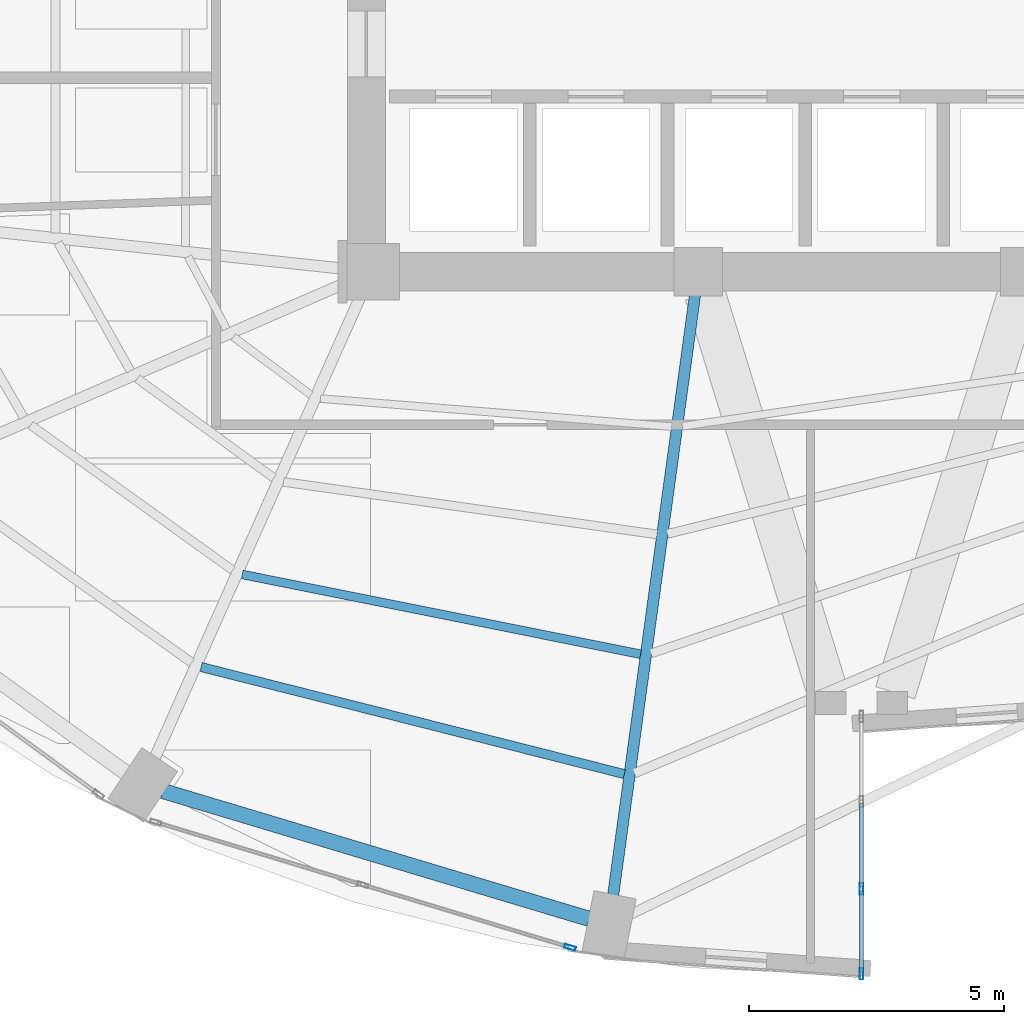
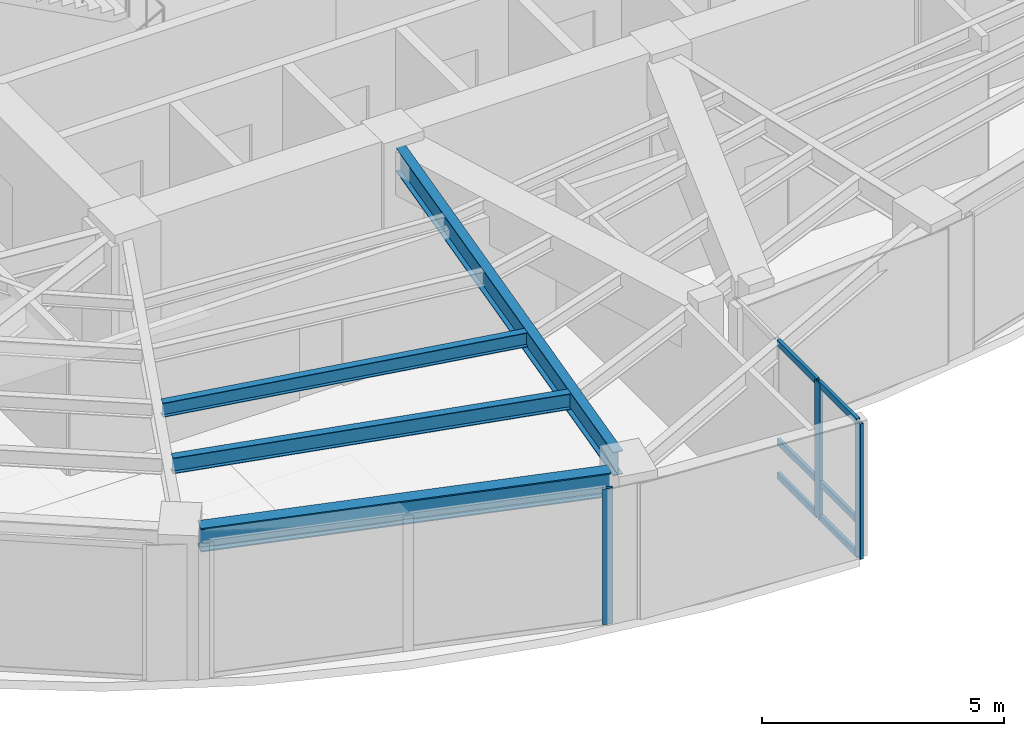
# One storey, part 5 of 24: 9 members, 4 beams, 2 elements without a shape of their own.
"""IFC4 building model written with IfcOpenShell, lengths in metres."""

from ifc_helpers import new_model, si_unit, direction, frame, origin, origin_2d, place, context, subcontext, project, spatial, hollow_rectangle, i_section, extrude, material, layer, layer_set, material_profile, profile_set, type_object, element, aggregate, save


model = new_model("IFC4")

# Units and contexts
model_context = context("Model", 3, precision=1e-05, world=origin(), true_north=direction((0.0, 1.0)))
body_context = subcontext(model_context, "Body", "Model", "MODEL_VIEW")
ifc_project = project(units=[si_unit("LENGTHUNIT", "METRE"), si_unit("AREAUNIT", "SQUARE_METRE"), si_unit("VOLUMEUNIT", "CUBIC_METRE"), si_unit("PLANEANGLEUNIT", "RADIAN"), si_unit("MASSUNIT", "GRAM", prefix="KILO")], contexts=[model_context])

# Site, building, storey
site_placement = place(None, origin())
site = spatial("IfcSite", under=ifc_project, at=site_placement, CompositionType="ELEMENT")
building_placement = place(site_placement, origin())
building = spatial("IfcBuilding", under=site, at=building_placement, Name="Lazwardi Medical Tower", CompositionType="ELEMENT")
storey_placement = place(building_placement, frame((0.0, 0.0, 96.3359375)))
storey = spatial("IfcBuildingStorey", under=building, at=storey_placement, Name="L24", CompositionType="ELEMENT", Elevation=96.3359375)

# Beams
ifc_material_1 = material(Name="Steel S355", Category="steel")
ifc_material_profile_1 = material_profile(ifc_material_1, i_section(OverallWidth=0.300048828125, OverallDepth=0.60009765625, WebThickness=0.015380859375, FlangeThickness=0.030029296875, at=origin_2d()), Name="HEB 600")
ifc_profile_set_1 = profile_set([ifc_material_profile_1], Name="Steel S355")
beam_type_1 = type_object("IfcBeamType", Name="BM-RB-Z2", PredefinedType="BEAM", material=ifc_profile_set_1)
beam_1_placement = place(storey_placement, frame((22.30908203125, 10.224609375, 3.128173828125), z_axis=(0.957879438442, -0.287170648587, 0.0), x_axis=(0.287170648587, 0.957879438442, 0.0)))
element("IfcBeam", 1, at=beam_1_placement, inside=storey, type_object=beam_type_1, Name="Ring beam RB-03 B15 L24", PredefinedType="BEAM", context=body_context, shape_type="SweptSolid", body=[
    extrude(i_section(OverallWidth=0.300048828125, OverallDepth=0.60009765625, WebThickness=0.015380859375, FlangeThickness=0.030029296875, at=origin_2d()), origin(), (0.0, 0.0, 1.0), 8.719970703125),
])
ifc_material_profile_2 = material_profile(ifc_material_1, i_section(OverallWidth=0.219970703125, OverallDepth=0.60009765625, WebThickness=0.011962890625, FlangeThickness=0.01904296875, at=origin_2d()), Name="IPE 600")
ifc_profile_set_2 = profile_set([ifc_material_profile_2], Name="Steel S355")
beam_type_2 = type_object("IfcBeamType", Name="BM-RG-W1", PredefinedType="BEAM", material=ifc_profile_set_2)
beam_2_placement = place(storey_placement, frame((31.1328125, 8.17724609375, 3.128173828125), z_axis=(0.135147148002, 0.990825538825, 0.0), x_axis=(-0.990825538825, 0.135147148002, 0.0)))
element("IfcBeam", 2, at=beam_2_placement, inside=storey, type_object=beam_type_2, Name="Radial girder RG-02 R16 L24", PredefinedType="BEAM", context=body_context, shape_type="SweptSolid", body=[
    extrude(i_section(OverallWidth=0.219970703125, OverallDepth=0.60009765625, WebThickness=0.011962890625, FlangeThickness=0.01904296875, at=origin_2d()), origin(), (0.0, 0.0, 1.0), 11.875732421875),
])
ifc_material_profile_3 = material_profile(ifc_material_1, i_section(OverallWidth=0.179931640625, OverallDepth=0.39990234375, WebThickness=0.008544921875, FlangeThickness=0.013427734375, at=origin_2d()), Name="IPE 400")
ifc_profile_set_3 = profile_set([ifc_material_profile_3], Name="Steel S355")
beam_type_3 = type_object("IfcBeamType", Name="BM-SJ-01", PredefinedType="JOIST", material=ifc_profile_set_3)
beam_3_placement = place(storey_placement, frame((23.060302734375, 12.654296875, 3.22802734375), z_axis=(0.96945186753, -0.245281626997, 0.0), x_axis=(0.245281626997, 0.96945186753, 0.0)))
element("IfcBeam", 3, at=beam_3_placement, inside=storey, type_object=beam_type_3, Name="Secondary joist SJ-01 R1 B15 L24", PredefinedType="JOIST", context=body_context, shape_type="SweptSolid", body=[
    extrude(i_section(OverallWidth=0.179931640625, OverallDepth=0.39990234375, WebThickness=0.008544921875, FlangeThickness=0.013427734375, at=origin_2d()), origin(), (0.0, 0.0, 1.0), 8.552978515625),
])
ifc_material_profile_4 = material_profile(ifc_material_1, i_section(OverallWidth=0.169921875, OverallDepth=0.360107421875, WebThickness=0.008056640625, FlangeThickness=0.0126953125, at=origin_2d()), Name="IPE 360")
ifc_profile_set_4 = profile_set([ifc_material_profile_4], Name="Steel S355")
beam_type_4 = type_object("IfcBeamType", Name="BM-SJ-02", PredefinedType="JOIST", material=ifc_profile_set_4)
beam_4_placement = place(storey_placement, frame((23.8671875, 14.46728515625, 3.248046875), z_axis=(0.980542906584, -0.196304886203, 0.0), x_axis=(0.196304886203, 0.980542906584, 0.0)))
element("IfcBeam", 4, at=beam_4_placement, inside=storey, type_object=beam_type_4, Name="Secondary joist SJ-02 R2 B15 L24", PredefinedType="JOIST", context=body_context, shape_type="SweptSolid", body=[
    extrude(i_section(OverallWidth=0.169921875, OverallDepth=0.360107421875, WebThickness=0.008056640625, FlangeThickness=0.0126953125, at=origin_2d()), origin(), (0.0, 0.0, 1.0), 7.95947265625),
])

# Curtain wall, member
ifc_material_2 = material(Name="Anodised bronze aluminium and solar control glazing", Category="aluminium")
ifc_layer_1 = layer(ifc_material_2, 0.195068359375)
ifc_layer_set_1 = layer_set([ifc_layer_1], Name="Anodised bronze aluminium and solar control glazing")
curtain_wall_type_1 = type_object("IfcCurtainWallType", Name="CW-SYS-03", PredefinedType="NOTDEFINED", material=ifc_layer_set_1)
curtain_wall_1_placement = place(storey_placement, origin())
curtain_wall_1 = element("IfcCurtainWall", 5, at=curtain_wall_1_placement, inside=storey, type_object=curtain_wall_type_1, Name="L24 Unitised bronze curtain wall CW-03", PredefinedType="NOTDEFINED")
ifc_material_3 = material(Name="Anodised bronze aluminium", Category="aluminium")
ifc_material_profile_5 = material_profile(ifc_material_3, hollow_rectangle(XDim=0.074951171875, YDim=0.219970703125, WallThickness=0.00390625, at=origin_2d()), Name="ALU-MULLION 220x75x4")
ifc_profile_set_5 = profile_set([ifc_material_profile_5], Name="Anodised bronze aluminium")
member_type_1 = type_object("IfcMemberType", Name="CW-MUL-01", PredefinedType="MULLION", material=ifc_profile_set_5)
member_1_placement = place(storey_placement, frame((30.289794921875, 7.159912109375, 0.0), z_axis=(0.0, 0.0, 1.0), x_axis=(0.28937381157, 0.957216170558, 0.0)))
member_1 = element("IfcMember", 6, at=member_1_placement, type_object=member_type_1, Name="CW-03 mullion 3", PredefinedType="MULLION", context=body_context, shape_type="SweptSolid", body=[
    extrude(hollow_rectangle(XDim=0.074951171875, YDim=0.219970703125, WallThickness=0.00390625, at=origin_2d()), origin(), (0.0, 0.0, 1.0), 3.427978515625),
])
aggregate(curtain_wall_1, [member_1])

# Curtain wall, members
ifc_layer_2 = layer(ifc_material_2, 0.2099609375)
ifc_layer_set_2 = layer_set([ifc_layer_2], Name="Anodised bronze aluminium and solar control glazing")
curtain_wall_type_2 = type_object("IfcCurtainWallType", Name="CW-SYS-06", PredefinedType="NOTDEFINED", material=ifc_layer_set_2)
curtain_wall_2_placement = place(storey_placement, origin())
curtain_wall_2 = element("IfcCurtainWall", 7, at=curtain_wall_2_placement, inside=storey, type_object=curtain_wall_type_2, Name="L24 Unitised bronze curtain wall CW-06", PredefinedType="NOTDEFINED")
member_2_placement = place(storey_placement, frame((36.0, 6.637451171875, 0.0), z_axis=(0.0, 0.0, 1.0), x_axis=(-1.0, 0.0, 0.0)))
member_2 = element("IfcMember", 8, at=member_2_placement, type_object=member_type_1, Name="CW-06 mullion 1", PredefinedType="MULLION", context=body_context, shape_type="SweptSolid", body=[
    extrude(hollow_rectangle(XDim=0.074951171875, YDim=0.219970703125, WallThickness=0.00390625, at=origin_2d()), origin(), (0.0, 0.0, 1.0), 3.427978515625),
])
member_3_placement = place(storey_placement, frame((36.0, 8.306640625, 0.0), z_axis=(0.0, 0.0, 1.0), x_axis=(-1.0, 0.0, 0.0)))
member_3 = element("IfcMember", 9, at=member_3_placement, type_object=member_type_1, Name="CW-06 mullion 2", PredefinedType="MULLION", context=body_context, shape_type="SweptSolid", body=[
    extrude(hollow_rectangle(XDim=0.074951171875, YDim=0.219970703125, WallThickness=0.00390625, at=origin_2d()), origin(), (0.0, 0.0, 1.0), 3.427978515625),
])
ifc_material_profile_6 = material_profile(ifc_material_3, hollow_rectangle(XDim=0.074951171875, YDim=0.159912109375, WallThickness=0.00390625, at=origin_2d()), Name="ALU-TRANSOM 160x75x4")
ifc_profile_set_6 = profile_set([ifc_material_profile_6], Name="Anodised bronze aluminium")
member_type_2 = type_object("IfcMemberType", Name="CW-TRN-01", PredefinedType="USERDEFINED", material=ifc_profile_set_6)
member_4_placement = place(storey_placement, frame((36.0, 6.675048828125, 0.03759765625), z_axis=(0.0, 1.0, 0.0), x_axis=(-1.0, 0.0, 0.0)))
member_4 = element("IfcMember", 10, at=member_4_placement, type_object=member_type_2, Name="CW-06 transom 1.1", ObjectType="TRANSOM", PredefinedType="USERDEFINED", context=body_context, shape_type="SweptSolid", body=[
    extrude(hollow_rectangle(XDim=0.074951171875, YDim=0.159912109375, WallThickness=0.00390625, at=origin_2d()), origin(), (0.0, 0.0, 1.0), 1.59423828125),
])
member_5_placement = place(storey_placement, frame((36.0, 6.675048828125, 0.900146484375), z_axis=(0.0, 1.0, 0.0), x_axis=(-1.0, 0.0, 0.0)))
member_5 = element("IfcMember", 11, at=member_5_placement, type_object=member_type_2, Name="CW-06 transom 1.2", ObjectType="TRANSOM", PredefinedType="USERDEFINED", context=body_context, shape_type="SweptSolid", body=[
    extrude(hollow_rectangle(XDim=0.074951171875, YDim=0.159912109375, WallThickness=0.00390625, at=origin_2d()), origin(), (0.0, 0.0, 1.0), 1.59423828125),
])
member_6_placement = place(storey_placement, frame((36.0, 6.675048828125, 3.390625), z_axis=(0.0, 1.0, 0.0), x_axis=(-1.0, 0.0, 0.0)))
member_6 = element("IfcMember", 12, at=member_6_placement, type_object=member_type_2, Name="CW-06 transom 1.3", ObjectType="TRANSOM", PredefinedType="USERDEFINED", context=body_context, shape_type="SweptSolid", body=[
    extrude(hollow_rectangle(XDim=0.074951171875, YDim=0.159912109375, WallThickness=0.00390625, at=origin_2d()), origin(), (0.0, 0.0, 1.0), 1.59423828125),
])
member_7_placement = place(storey_placement, frame((36.0, 8.34423828125, 0.03759765625), z_axis=(0.0, 1.0, 0.0), x_axis=(-1.0, 0.0, 0.0)))
member_7 = element("IfcMember", 13, at=member_7_placement, type_object=member_type_2, Name="CW-06 transom 2.1", ObjectType="TRANSOM", PredefinedType="USERDEFINED", context=body_context, shape_type="SweptSolid", body=[
    extrude(hollow_rectangle(XDim=0.074951171875, YDim=0.159912109375, WallThickness=0.00390625, at=origin_2d()), origin(), (0.0, 0.0, 1.0), 1.631591796875),
])
member_8_placement = place(storey_placement, frame((36.0, 8.34423828125, 0.900146484375), z_axis=(0.0, 1.0, 0.0), x_axis=(-1.0, 0.0, 0.0)))
member_8 = element("IfcMember", 14, at=member_8_placement, type_object=member_type_2, Name="CW-06 transom 2.2", ObjectType="TRANSOM", PredefinedType="USERDEFINED", context=body_context, shape_type="SweptSolid", body=[
    extrude(hollow_rectangle(XDim=0.074951171875, YDim=0.159912109375, WallThickness=0.00390625, at=origin_2d()), origin(), (0.0, 0.0, 1.0), 1.631591796875),
])
member_9_placement = place(storey_placement, frame((36.0, 8.34423828125, 3.390625), z_axis=(0.0, 1.0, 0.0), x_axis=(-1.0, 0.0, 0.0)))
member_9 = element("IfcMember", 15, at=member_9_placement, type_object=member_type_2, Name="CW-06 transom 2.3", ObjectType="TRANSOM", PredefinedType="USERDEFINED", context=body_context, shape_type="SweptSolid", body=[
    extrude(hollow_rectangle(XDim=0.074951171875, YDim=0.159912109375, WallThickness=0.00390625, at=origin_2d()), origin(), (0.0, 0.0, 1.0), 1.631591796875),
])
aggregate(curtain_wall_2, [member_2, member_3, member_4, member_5, member_6, member_7, member_8, member_9])

save(model, "model.ifc")
